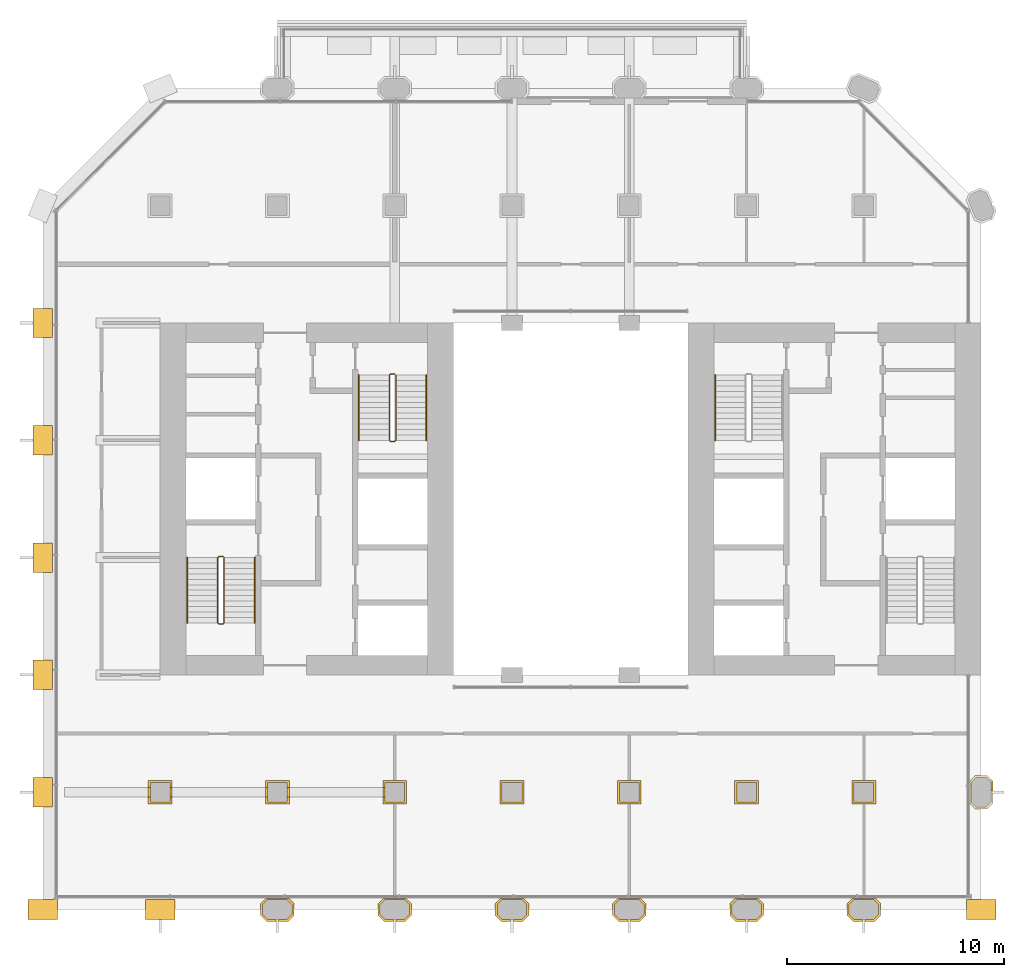
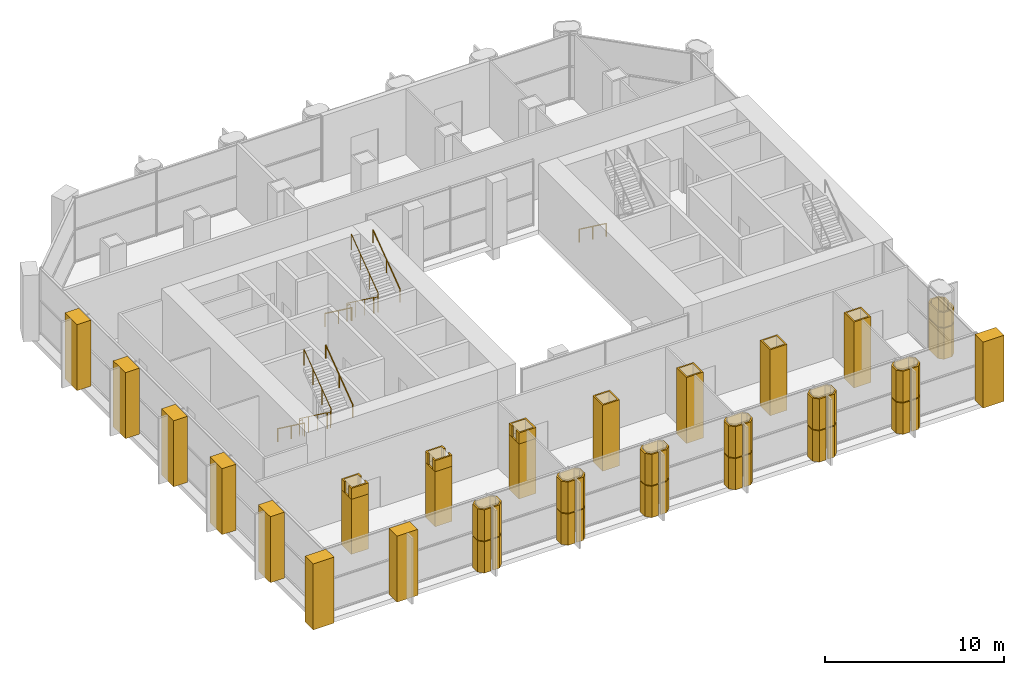
# One storey, part 13 of 15: 34 coverings, 7 railings.
"""IFC4 building model written with IfcOpenShell, lengths in metres."""

from ifc_helpers import new_model, si_unit, direction, frame, frame_2d, origin, origin_2d, place, context, subcontext, project, spatial, polyline, rectangle, circle, outline, extrude, material, layer, layer_set, type_object, element, save


model = new_model("IFC4")

# Units and contexts
model_context = context("Model", 3, precision=1e-05, world=origin(), true_north=direction((0.0, 1.0)))
body_context = subcontext(model_context, "Body", "Model", "MODEL_VIEW")
ifc_project = project(units=[si_unit("LENGTHUNIT", "METRE"), si_unit("AREAUNIT", "SQUARE_METRE"), si_unit("VOLUMEUNIT", "CUBIC_METRE"), si_unit("PLANEANGLEUNIT", "RADIAN"), si_unit("MASSUNIT", "GRAM", prefix="KILO")], contexts=[model_context])

# Site, building, storey
site_placement = place(None, origin())
site = spatial("IfcSite", under=ifc_project, at=site_placement, CompositionType="ELEMENT")
building_placement = place(site_placement, origin())
building = spatial("IfcBuilding", under=site, at=building_placement, Name="Tabaq Tower and Sports Hall", CompositionType="ELEMENT")
storey_placement = place(building_placement, frame((0.0, 0.0, 138.39990234375)))
storey = spatial("IfcBuildingStorey", under=building, at=storey_placement, Name="L32", CompositionType="ELEMENT", Elevation=138.39990234375)

# Coverings
ifc_material_1 = material(Name="Precast concrete C60/75", Category="concrete")
ifc_layer = layer(ifc_material_1, 0.10009765625)
ifc_layer_set = layer_set([ifc_layer], Name="Column cladding 100")
covering_type_1 = type_object("IfcCoveringType", Name="Column cladding 100", PredefinedType="CLADDING", material=ifc_layer_set)
covering_1_placement = place(storey_placement, origin())
element("IfcCovering", 1, at=covering_1_placement, inside=storey, type_object=covering_type_1, Name="Column cladding L32 CC-2C-S1", PredefinedType="CLADDING", context=body_context, shape_type="SweptSolid", body=[
    extrude(outline(polyline([(4.850341796875, 11.349609375), (5.94970703125, 11.349609375), (5.94970703125, 10.250244140625), (4.850341796875, 10.250244140625), (4.850341796875, 11.349609375)]), holes=[polyline([(5.850341796875, 10.349609375), (5.850341796875, 11.250244140625), (4.94970703125, 11.250244140625), (4.94970703125, 10.349609375), (5.850341796875, 10.349609375)])]), origin(), (0.0, 0.0, 1.0), 3.75),
])
covering_2_placement = place(storey_placement, frame((0.0, 0.0, 3.75)))
element("IfcCovering", 2, at=covering_2_placement, inside=storey, type_object=covering_type_1, Name="Column cladding L32 CC-2C-S1 head", PredefinedType="CLADDING", context=body_context, shape_type="SweptSolid", body=[
    extrude(outline(polyline([(5.94970703125, 10.250244140625), (4.850341796875, 10.250244140625), (4.850341796875, 10.57470703125), (4.94970703125, 10.57470703125), (4.94970703125, 10.349609375), (5.850341796875, 10.349609375), (5.850341796875, 10.57470703125), (5.94970703125, 10.57470703125), (5.94970703125, 10.250244140625)])), origin(), (0.0, 0.0, 1.0), 0.75),
])
covering_3_placement = place(storey_placement, frame((0.0, 0.0, 3.75)))
element("IfcCovering", 3, at=covering_3_placement, inside=storey, type_object=covering_type_1, Name="Column cladding L32 CC-2C-S1 head 2", PredefinedType="CLADDING", context=body_context, shape_type="SweptSolid", body=[
    extrude(outline(polyline([(5.94970703125, 11.349609375), (5.94970703125, 11.025390625), (5.850341796875, 11.025390625), (5.850341796875, 11.250244140625), (4.94970703125, 11.250244140625), (4.94970703125, 11.025390625), (4.850341796875, 11.025390625), (4.850341796875, 11.349609375), (5.94970703125, 11.349609375)])), origin(), (0.0, 0.0, 1.0), 0.75),
])
for number, where, name in (
    (4, (0.0, 0.0, 0.10009765625), "Column cladding L32 PC-3B-S1"),
    (5, (0.0, 0.0, 2.280029296875), "Column cladding L32 PC-3B-S1 2"),
):
    element("IfcCovering", number, at=place(storey_placement, frame(where)), inside=storey, type_object=covering_type_1, Name=name, PredefinedType="CLADDING", context=body_context, shape_type="SweptSolid", body=[
        extrude(outline(polyline([(10.025390625, 5.666259765625), (10.268798828125, 5.90966796875), (11.331298828125, 5.90966796875), (11.57470703125, 5.666259765625), (11.57470703125, 5.1337890625), (11.291259765625, 4.850341796875), (10.8603515625, 4.850341796875), (10.8603515625, 4.94970703125), (11.250244140625, 4.94970703125), (11.475341796875, 5.1748046875), (11.475341796875, 5.625244140625), (11.250244140625, 5.850341796875), (10.349853515625, 5.850341796875), (10.124755859375, 5.625244140625), (10.124755859375, 5.1748046875), (10.349853515625, 4.94970703125), (10.73974609375, 4.94970703125), (10.73974609375, 4.850341796875), (10.30859375, 4.850341796875), (10.025390625, 5.1337890625), (10.025390625, 5.666259765625)])), origin(), (0.0, 0.0, 1.0), 2.1201171875),
    ])
covering_4_placement = place(storey_placement, origin())
element("IfcCovering", 6, at=covering_4_placement, inside=storey, type_object=covering_type_1, Name="Column cladding L32 CC-3C-S1", PredefinedType="CLADDING", context=body_context, shape_type="SweptSolid", body=[
    extrude(outline(polyline([(10.250244140625, 11.349609375), (11.349609375, 11.349609375), (11.349609375, 10.250244140625), (10.250244140625, 10.250244140625), (10.250244140625, 11.349609375)]), holes=[polyline([(11.250244140625, 10.349609375), (11.250244140625, 11.250244140625), (10.349609375, 11.250244140625), (10.349609375, 10.349609375), (11.250244140625, 10.349609375)])]), origin(), (0.0, 0.0, 1.0), 3.75),
])
covering_5_placement = place(storey_placement, frame((0.0, 0.0, 3.75)))
element("IfcCovering", 7, at=covering_5_placement, inside=storey, type_object=covering_type_1, Name="Column cladding L32 CC-3C-S1 head", PredefinedType="CLADDING", context=body_context, shape_type="SweptSolid", body=[
    extrude(outline(polyline([(10.349365234375, 10.574462890625), (10.349365234375, 10.349365234375), (11.25048828125, 10.349365234375), (11.25048828125, 10.574462890625), (11.349365234375, 10.574462890625), (11.349365234375, 10.25048828125), (10.25048828125, 10.25048828125), (10.25048828125, 10.574462890625), (10.349365234375, 10.574462890625)])), origin(), (0.0, 0.0, 1.0), 0.75),
])
covering_6_placement = place(storey_placement, frame((0.0, 0.0, 3.75)))
element("IfcCovering", 8, at=covering_6_placement, inside=storey, type_object=covering_type_1, Name="Column cladding L32 CC-3C-S1 head 2", PredefinedType="CLADDING", context=body_context, shape_type="SweptSolid", body=[
    extrude(outline(polyline([(10.349365234375, 11.025634765625), (10.25048828125, 11.025634765625), (10.25048828125, 11.349365234375), (11.349365234375, 11.349365234375), (11.349365234375, 11.025634765625), (11.25048828125, 11.025634765625), (11.25048828125, 11.25048828125), (10.349365234375, 11.25048828125), (10.349365234375, 11.025634765625)])), origin(), (0.0, 0.0, 1.0), 0.75),
])
for number, where, name in (
    (9, (0.0, 0.0, 0.10009765625), "Column cladding L32 PC-4B-S1"),
    (10, (0.0, 0.0, 2.280029296875), "Column cladding L32 PC-4B-S1 2"),
):
    element("IfcCovering", number, at=place(storey_placement, frame(where)), inside=storey, type_object=covering_type_1, Name=name, PredefinedType="CLADDING", context=body_context, shape_type="SweptSolid", body=[
        extrude(outline(polyline([(15.42529296875, 5.666259765625), (15.668701171875, 5.90966796875), (16.731201171875, 5.90966796875), (16.974609375, 5.666259765625), (16.974609375, 5.1337890625), (16.69140625, 4.850341796875), (16.26025390625, 4.850341796875), (16.26025390625, 4.94970703125), (16.650146484375, 4.94970703125), (16.875244140625, 5.1748046875), (16.875244140625, 5.625244140625), (16.650146484375, 5.850341796875), (15.749755859375, 5.850341796875), (15.524658203125, 5.625244140625), (15.524658203125, 5.1748046875), (15.749755859375, 4.94970703125), (16.1396484375, 4.94970703125), (16.1396484375, 4.850341796875), (15.708740234375, 4.850341796875), (15.42529296875, 5.1337890625), (15.42529296875, 5.666259765625)])), origin(), (0.0, 0.0, 1.0), 2.1201171875),
    ])
covering_7_placement = place(storey_placement, origin())
element("IfcCovering", 11, at=covering_7_placement, inside=storey, type_object=covering_type_1, Name="Column cladding L32 CC-4C-S1", PredefinedType="CLADDING", context=body_context, shape_type="SweptSolid", body=[
    extrude(outline(polyline([(15.650390625, 11.349609375), (16.749755859375, 11.349609375), (16.749755859375, 10.250244140625), (15.650390625, 10.250244140625), (15.650390625, 11.349609375)]), holes=[polyline([(16.650390625, 10.349609375), (16.650390625, 11.250244140625), (15.749755859375, 11.250244140625), (15.749755859375, 10.349609375), (16.650390625, 10.349609375)])]), origin(), (0.0, 0.0, 1.0), 3.75),
])
covering_8_placement = place(storey_placement, frame((0.0, 0.0, 3.75)))
element("IfcCovering", 12, at=covering_8_placement, inside=storey, type_object=covering_type_1, Name="Column cladding L32 CC-4C-S1 head", PredefinedType="CLADDING", context=body_context, shape_type="SweptSolid", body=[
    extrude(outline(polyline([(16.749755859375, 11.349609375), (16.749755859375, 10.250244140625), (15.650390625, 10.250244140625), (15.650390625, 10.57470703125), (15.749755859375, 10.57470703125), (15.749755859375, 10.349609375), (16.650390625, 10.349609375), (16.650390625, 11.250244140625), (15.749755859375, 11.250244140625), (15.749755859375, 11.025390625), (15.650390625, 11.025390625), (15.650390625, 11.349609375), (16.749755859375, 11.349609375)])), origin(), (0.0, 0.0, 1.0), 0.75),
])
for number, where, name in (
    (13, (0.0, 0.0, 0.10009765625), "Column cladding L32 PC-5B-S1"),
    (14, (0.0, 0.0, 2.280029296875), "Column cladding L32 PC-5B-S1 2"),
):
    element("IfcCovering", number, at=place(storey_placement, frame(where)), inside=storey, type_object=covering_type_1, Name=name, PredefinedType="CLADDING", context=body_context, shape_type="SweptSolid", body=[
        extrude(outline(polyline([(20.8251953125, 5.666259765625), (21.068603515625, 5.90966796875), (22.13134765625, 5.90966796875), (22.374755859375, 5.666259765625), (22.374755859375, 5.1337890625), (22.09130859375, 4.850341796875), (21.660400390625, 4.850341796875), (21.660400390625, 4.94970703125), (22.050048828125, 4.94970703125), (22.275390625, 5.1748046875), (22.275390625, 5.625244140625), (22.050048828125, 5.850341796875), (21.14990234375, 5.850341796875), (20.9248046875, 5.625244140625), (20.9248046875, 5.1748046875), (21.14990234375, 4.94970703125), (21.539794921875, 4.94970703125), (21.539794921875, 4.850341796875), (21.108642578125, 4.850341796875), (20.8251953125, 5.1337890625), (20.8251953125, 5.666259765625)])), origin(), (0.0, 0.0, 1.0), 2.1201171875),
    ])
covering_9_placement = place(storey_placement, origin())
element("IfcCovering", 15, at=covering_9_placement, inside=storey, type_object=covering_type_1, Name="Column cladding L32 CC-5C-S1", PredefinedType="CLADDING", context=body_context, shape_type="SweptSolid", body=[
    extrude(outline(polyline([(21.05029296875, 11.349609375), (22.149658203125, 11.349609375), (22.149658203125, 10.250244140625), (21.05029296875, 10.250244140625), (21.05029296875, 11.349609375)]), holes=[polyline([(22.05029296875, 10.349609375), (22.05029296875, 11.250244140625), (21.149658203125, 11.250244140625), (21.149658203125, 10.349609375), (22.05029296875, 10.349609375)])]), origin(), (0.0, 0.0, 1.0), 4.5),
])
for number, where, name in (
    (16, (0.0, 0.0, 0.10009765625), "Column cladding L32 PC-6B-S1"),
    (17, (0.0, 0.0, 2.280029296875), "Column cladding L32 PC-6B-S1 2"),
):
    element("IfcCovering", number, at=place(storey_placement, frame(where)), inside=storey, type_object=covering_type_1, Name=name, PredefinedType="CLADDING", context=body_context, shape_type="SweptSolid", body=[
        extrude(outline(polyline([(26.225341796875, 5.666259765625), (26.46875, 5.90966796875), (27.53125, 5.90966796875), (27.774658203125, 5.666259765625), (27.774658203125, 5.1337890625), (27.4912109375, 4.850341796875), (27.060302734375, 4.850341796875), (27.060302734375, 4.94970703125), (27.4501953125, 4.94970703125), (27.67529296875, 5.1748046875), (27.67529296875, 5.625244140625), (27.4501953125, 5.850341796875), (26.5498046875, 5.850341796875), (26.32470703125, 5.625244140625), (26.32470703125, 5.1748046875), (26.5498046875, 4.94970703125), (26.939697265625, 4.94970703125), (26.939697265625, 4.850341796875), (26.5087890625, 4.850341796875), (26.225341796875, 5.1337890625), (26.225341796875, 5.666259765625)])), origin(), (0.0, 0.0, 1.0), 2.1201171875),
    ])
covering_10_placement = place(storey_placement, origin())
element("IfcCovering", 18, at=covering_10_placement, inside=storey, type_object=covering_type_1, Name="Column cladding L32 CC-6C-S1", PredefinedType="CLADDING", context=body_context, shape_type="SweptSolid", body=[
    extrude(outline(polyline([(26.4501953125, 11.349609375), (27.5498046875, 11.349609375), (27.5498046875, 10.250244140625), (26.4501953125, 10.250244140625), (26.4501953125, 11.349609375)]), holes=[polyline([(27.4501953125, 10.349609375), (27.4501953125, 11.250244140625), (26.5498046875, 11.250244140625), (26.5498046875, 10.349609375), (27.4501953125, 10.349609375)])]), origin(), (0.0, 0.0, 1.0), 4.5),
])
for number, where, name in (
    (19, (0.0, 0.0, 0.10009765625), "Column cladding L32 PC-7B-S1"),
    (20, (0.0, 0.0, 2.280029296875), "Column cladding L32 PC-7B-S1 2"),
):
    element("IfcCovering", number, at=place(storey_placement, frame(where)), inside=storey, type_object=covering_type_1, Name=name, PredefinedType="CLADDING", context=body_context, shape_type="SweptSolid", body=[
        extrude(outline(polyline([(31.625244140625, 5.666259765625), (31.86865234375, 5.90966796875), (32.931396484375, 5.90966796875), (33.1748046875, 5.666259765625), (33.1748046875, 5.1337890625), (32.891357421875, 4.850341796875), (32.460205078125, 4.850341796875), (32.460205078125, 4.94970703125), (32.85009765625, 4.94970703125), (33.0751953125, 5.1748046875), (33.0751953125, 5.625244140625), (32.85009765625, 5.850341796875), (31.949951171875, 5.850341796875), (31.724609375, 5.625244140625), (31.724609375, 5.1748046875), (31.949951171875, 4.94970703125), (32.339599609375, 4.94970703125), (32.339599609375, 4.850341796875), (31.90869140625, 4.850341796875), (31.625244140625, 5.1337890625), (31.625244140625, 5.666259765625)])), origin(), (0.0, 0.0, 1.0), 2.1201171875),
    ])
covering_11_placement = place(storey_placement, origin())
element("IfcCovering", 21, at=covering_11_placement, inside=storey, type_object=covering_type_1, Name="Column cladding L32 CC-7C-S1", PredefinedType="CLADDING", context=body_context, shape_type="SweptSolid", body=[
    extrude(outline(polyline([(31.850341796875, 11.349609375), (32.94970703125, 11.349609375), (32.94970703125, 10.250244140625), (31.850341796875, 10.250244140625), (31.850341796875, 11.349609375)]), holes=[polyline([(32.850341796875, 10.349609375), (32.850341796875, 11.250244140625), (31.94970703125, 11.250244140625), (31.94970703125, 10.349609375), (32.850341796875, 10.349609375)])]), origin(), (0.0, 0.0, 1.0), 4.5),
])
for number, where, name in (
    (22, (0.0, 0.0, 0.10009765625), "Column cladding L32 PC-8B-S1"),
    (23, (0.0, 0.0, 2.280029296875), "Column cladding L32 PC-8B-S1 2"),
):
    element("IfcCovering", number, at=place(storey_placement, frame(where)), inside=storey, type_object=covering_type_1, Name=name, PredefinedType="CLADDING", context=body_context, shape_type="SweptSolid", body=[
        extrude(outline(polyline([(37.025390625, 5.666259765625), (37.268798828125, 5.90966796875), (38.331298828125, 5.90966796875), (38.57470703125, 5.666259765625), (38.57470703125, 5.1337890625), (38.291259765625, 4.850341796875), (37.8603515625, 4.850341796875), (37.8603515625, 4.94970703125), (38.250244140625, 4.94970703125), (38.475341796875, 5.1748046875), (38.475341796875, 5.625244140625), (38.250244140625, 5.850341796875), (37.349853515625, 5.850341796875), (37.124755859375, 5.625244140625), (37.124755859375, 5.1748046875), (37.349853515625, 4.94970703125), (37.73974609375, 4.94970703125), (37.73974609375, 4.850341796875), (37.30859375, 4.850341796875), (37.025390625, 5.1337890625), (37.025390625, 5.666259765625)])), origin(), (0.0, 0.0, 1.0), 2.1201171875),
    ])
covering_12_placement = place(storey_placement, origin())
element("IfcCovering", 24, at=covering_12_placement, inside=storey, type_object=covering_type_1, Name="Column cladding L32 CC-8C-S1", PredefinedType="CLADDING", context=body_context, shape_type="SweptSolid", body=[
    extrude(outline(polyline([(37.250244140625, 11.349609375), (38.349609375, 11.349609375), (38.349609375, 10.250244140625), (37.250244140625, 10.250244140625), (37.250244140625, 11.349609375)]), holes=[polyline([(38.250244140625, 10.349609375), (38.250244140625, 11.250244140625), (37.349609375, 11.250244140625), (37.349609375, 10.349609375), (38.250244140625, 10.349609375)])]), origin(), (0.0, 0.0, 1.0), 4.5),
])
covering_13_placement = place(storey_placement, frame((0.0, 0.0, 0.10009765625)))
element("IfcCovering", 25, at=covering_13_placement, inside=storey, type_object=covering_type_1, Name="Column cladding L32 PC-9C-S1", PredefinedType="CLADDING", context=body_context, shape_type="SweptSolid", body=[
    extrude(outline(polyline([(42.93359375, 10.025390625), (42.690185546875, 10.268798828125), (42.690185546875, 11.331298828125), (42.93359375, 11.57470703125), (43.46630859375, 11.57470703125), (43.749755859375, 11.291259765625), (43.749755859375, 10.8603515625), (43.650390625, 10.8603515625), (43.650390625, 11.250244140625), (43.425048828125, 11.475341796875), (42.974853515625, 11.475341796875), (42.749755859375, 11.250244140625), (42.749755859375, 10.349853515625), (42.974853515625, 10.124755859375), (43.425048828125, 10.124755859375), (43.650390625, 10.349853515625), (43.650390625, 10.73974609375), (43.749755859375, 10.73974609375), (43.749755859375, 10.30859375), (43.46630859375, 10.025390625), (42.93359375, 10.025390625)])), origin(), (0.0, 0.0, 1.0), 2.1201171875),
])
covering_14_placement = place(storey_placement, frame((0.0, 0.0, 2.280029296875)))
element("IfcCovering", 26, at=covering_14_placement, inside=storey, type_object=covering_type_1, Name="Column cladding L32 PC-9C-S1 2", PredefinedType="CLADDING", context=body_context, shape_type="SweptSolid", body=[
    extrude(outline(polyline([(42.93359375, 10.025390625), (42.690185546875, 10.268798828125), (42.690185546875, 11.331298828125), (42.93359375, 11.57470703125), (43.46630859375, 11.57470703125), (43.749755859375, 11.291259765625), (43.749755859375, 10.8603515625), (43.650390625, 10.8603515625), (43.650390625, 11.250244140625), (43.425048828125, 11.475341796875), (42.974853515625, 11.475341796875), (42.749755859375, 11.250244140625), (42.749755859375, 10.349853515625), (42.974853515625, 10.124755859375), (43.425048828125, 10.124755859375), (43.650390625, 10.349853515625), (43.650390625, 10.73974609375), (43.749755859375, 10.73974609375), (43.749755859375, 10.30859375), (43.46630859375, 10.025390625), (42.93359375, 10.025390625)])), origin(), (0.0, 0.0, 1.0), 1.02001953125),
])
ifc_material_2 = material(Name="White precast concrete C60/75", Category="concrete")
covering_type_2 = type_object("IfcCoveringType", Name="Pier cladding hung 1350x900", PredefinedType="CLADDING", material=ifc_material_2)
for number, where, z_axis, x_axis, name in (
    (27, (-0.675048828125, 5.39990234375, 0.0), (0.0, 0.0, 1.0), (1.0, 0.0, 0.0), "Hung pier cladding 0/1"),
    (28, (0.0, 11.47509765625, 0.0), (0.0, 0.0, 1.0), (0.0, -1.0, 0.0), "Hung pier cladding 0/2"),
    (29, (0.0, 16.875, 0.0), (0.0, 0.0, 1.0), (0.0, -1.0, 0.0), "Hung pier cladding 0/3"),
):
    element("IfcCovering", number, at=place(storey_placement, frame(where, z_axis=z_axis, x_axis=x_axis)), inside=storey, type_object=covering_type_2, Name=name, PredefinedType="CLADDING", context=body_context, shape_type="SweptSolid", body=[
        extrude(rectangle(XDim=1.35009765625, YDim=0.89990234375, at=frame_2d((0.675048828125, 0.0))), origin(), (0.0, 0.0, 1.0), 4.5),
    ])
covering_15_placement = place(storey_placement, frame((0.0, 22.27490234375, 0.0), z_axis=(0.0, 0.0, 1.0), x_axis=(0.0, -1.0, 0.0)))
element("IfcCovering", 30, at=covering_15_placement, inside=storey, type_object=covering_type_2, Name="Hung pier cladding 0/4", PredefinedType="CLADDING", context=body_context, shape_type="SweptSolid", body=[
    extrude(rectangle(XDim=1.349853515625, YDim=0.89990234375, at=frame_2d((0.6748046875, 0.0))), origin(), (0.0, 0.0, 1.0), 4.5),
])
covering_16_placement = place(storey_placement, frame((0.0, 27.675048828125, 0.0), z_axis=(0.0, 0.0, 1.0), x_axis=(0.0, -1.0, 0.0)))
element("IfcCovering", 31, at=covering_16_placement, inside=storey, type_object=covering_type_2, Name="Hung pier cladding 0/5", PredefinedType="CLADDING", context=body_context, shape_type="SweptSolid", body=[
    extrude(rectangle(XDim=1.35009765625, YDim=0.89990234375, at=frame_2d((0.675048828125, 0.0))), origin(), (0.0, 0.0, 1.0), 4.5),
])
for number, where, z_axis, x_axis, name in (
    (32, (0.0, 33.074951171875, 0.0), (0.0, 0.0, 1.0), (0.0, -1.0, 0.0), "Hung pier cladding 0/6"),
    (33, (4.72509765625, 5.39990234375, 0.0), (0.0, 0.0, 1.0), (1.0, 0.0, 0.0), "Hung pier cladding 1/1"),
):
    element("IfcCovering", number, at=place(storey_placement, frame(where, z_axis=z_axis, x_axis=x_axis)), inside=storey, type_object=covering_type_2, Name=name, PredefinedType="CLADDING", context=body_context, shape_type="SweptSolid", body=[
        extrude(rectangle(XDim=1.349853515625, YDim=0.89990234375, at=frame_2d((0.6748046875, 0.0))), origin(), (0.0, 0.0, 1.0), 4.5),
    ])
covering_17_placement = place(storey_placement, frame((42.52490234375, 5.39990234375, 0.0), z_axis=(0.0, 0.0, 1.0), x_axis=(1.0, 0.0, 0.0)))
element("IfcCovering", 34, at=covering_17_placement, inside=storey, type_object=covering_type_2, Name="Hung pier cladding 8/1", PredefinedType="CLADDING", context=body_context, shape_type="SweptSolid", body=[
    extrude(rectangle(XDim=1.35009765625, YDim=0.89990234375, at=frame_2d((0.675048828125, 0.0))), origin(), (0.0, 0.0, 1.0), 4.5),
])

# Railings
ifc_material_3 = material(Name="Stainless steel", Category="steel")
railing_type_1 = type_object("IfcRailingType", Name="Stair guard", PredefinedType="GUARDRAIL", material=ifc_material_3)
railing_1_placement = place(storey_placement, frame((8.300048828125, 21.64990234375, 0.0)))
element("IfcRailing", 35, at=railing_1_placement, inside=storey, type_object=railing_type_1, Name="L32 ST1 stair guard 1", PredefinedType="GUARDRAIL", context=body_context, shape_type="SweptSolid", body=[
    extrude(circle(Radius=0.02392578125, at=origin_2d()), frame((0.0, 0.0, 1.076171875), z_axis=(-1.0, 0.0, 0.0), x_axis=(0.0, -1.0, 0.0)), (0.0, 0.0, 1.0), 0.199951171875),
    extrude(circle(Radius=0.02392578125, at=origin_2d()), frame((-0.199951171875, 0.0, 1.076171875), z_axis=(-0.252972702061, -0.251738688881, 0.934147977856), x_axis=(0.705375805398, -0.708833529934, 0.0)), (0.0, 0.0, 1.0), 0.19775390625),
    extrude(circle(Radius=0.02392578125, at=origin_2d()), frame((-0.25, -0.0498046875, 1.2607421875), z_axis=(0.0, -0.804440004972, 0.594033903411), x_axis=(1.0, 0.0, 0.0)), (0.0, 0.0, 1.0), 3.729248046875),
    extrude(circle(Radius=0.02392578125, at=origin_2d()), frame((-0.25, -3.0498046875, 3.47607421875), z_axis=(0.707106781187, -0.707106781187, 0.0), x_axis=(0.707106781187, 0.707106781187, 0.0)), (0.0, 0.0, 1.0), 0.07080078125),
    extrude(circle(Radius=0.02392578125, at=origin_2d()), frame((-0.199951171875, -3.099853515625, 3.47607421875), z_axis=(1.0, 0.0, 0.0), x_axis=(0.0, 1.0, 0.0)), (0.0, 0.0, 1.0), 0.199951171875),
    extrude(circle(Radius=0.02392578125, at=origin_2d()), frame((0.0, -3.099853515625, 3.47607421875), z_axis=(0.253185614162, 0.253185614162, 0.933699142959), x_axis=(-0.707106781187, 0.707106781187, 0.0)), (0.0, 0.0, 1.0), 0.19775390625),
    extrude(circle(Radius=0.02392578125, at=origin_2d()), frame((0.050048828125, -3.0498046875, 3.66064453125), z_axis=(0.0, 0.804440004972, 0.594033903411), x_axis=(-1.0, 0.0, 0.0)), (0.0, 0.0, 1.0), 3.729248046875),
    extrude(circle(Radius=0.02099609375, at=origin_2d()), origin(), (0.0, 0.0, 1.0), 1.052001953125),
    extrude(circle(Radius=0.02099609375, at=origin_2d()), frame((-0.199951171875, 0.0, 0.0)), (0.0, 0.0, 1.0), 1.052001953125),
    extrude(circle(Radius=0.02099609375, at=origin_2d()), frame((-0.25, -0.0498046875, 0.184814453125)), (0.0, 0.0, 1.0), 1.052001953125),
    extrude(circle(Radius=0.02099609375, at=origin_2d()), frame((-0.25, -1.0498046875, 0.92333984375)), (0.0, 0.0, 1.0), 1.052001953125),
    extrude(circle(Radius=0.02099609375, at=origin_2d()), frame((-0.25, -2.0498046875, 1.66162109375)), (0.0, 0.0, 1.0), 1.052001953125),
    extrude(circle(Radius=0.02099609375, at=origin_2d()), frame((-0.25, -3.0498046875, 2.400146484375)), (0.0, 0.0, 1.0), 1.052001953125),
    extrude(circle(Radius=0.02099609375, at=origin_2d()), frame((-0.199951171875, -3.099853515625, 2.400146484375)), (0.0, 0.0, 1.0), 1.052001953125),
    extrude(circle(Radius=0.02099609375, at=origin_2d()), frame((0.0, -3.099853515625, 2.400146484375)), (0.0, 0.0, 1.0), 1.052001953125),
    extrude(circle(Radius=0.02099609375, at=origin_2d()), frame((0.050048828125, -3.0498046875, 2.584716796875)), (0.0, 0.0, 1.0), 1.052001953125),
    extrude(circle(Radius=0.02099609375, at=origin_2d()), frame((0.050048828125, -2.0498046875, 3.3232421875)), (0.0, 0.0, 1.0), 1.052001953125),
    extrude(circle(Radius=0.02099609375, at=origin_2d()), frame((0.050048828125, -1.0498046875, 4.0615234375)), (0.0, 0.0, 1.0), 1.052001953125),
    extrude(circle(Radius=0.02099609375, at=origin_2d()), frame((0.050048828125, -0.0498046875, 4.800048828125)), (0.0, 0.0, 1.0), 1.052001953125),
])
railing_2_placement = place(storey_placement, frame((16.199951171875, 30.050048828125, 0.0)))
element("IfcRailing", 36, at=railing_2_placement, inside=storey, type_object=railing_type_1, Name="L32 ST2 stair guard 1", PredefinedType="GUARDRAIL", context=body_context, shape_type="SweptSolid", body=[
    extrude(circle(Radius=0.02392578125, at=origin_2d()), frame((0.0, 0.0, 1.076171875), z_axis=(-1.0, 0.0, 0.0), x_axis=(0.0, -1.0, 0.0)), (0.0, 0.0, 1.0), 0.199951171875),
    extrude(circle(Radius=0.02392578125, at=origin_2d()), frame((-0.199951171875, 0.0, 1.076171875), z_axis=(-0.252893960547, -0.252893960547, 0.933857210411), x_axis=(0.707106781187, -0.707106781187, 0.0)), (0.0, 0.0, 1.0), 0.197998046875),
    extrude(circle(Radius=0.02392578125, at=origin_2d()), frame((-0.25, -0.050048828125, 1.2607421875), z_axis=(0.0, -0.804440004972, 0.594033903411), x_axis=(1.0, 0.0, 0.0)), (0.0, 0.0, 1.0), 3.729248046875),
    extrude(circle(Radius=0.02392578125, at=origin_2d()), frame((-0.25, -3.050048828125, 3.47607421875), z_axis=(0.707106781187, -0.707106781187, 0.0), x_axis=(0.707106781187, 0.707106781187, 0.0)), (0.0, 0.0, 1.0), 0.07080078125),
    extrude(circle(Radius=0.02392578125, at=origin_2d()), frame((-0.199951171875, -3.10009765625, 3.47607421875), z_axis=(1.0, 0.0, 0.0), x_axis=(0.0, 1.0, 0.0)), (0.0, 0.0, 1.0), 0.199951171875),
    extrude(circle(Radius=0.02392578125, at=origin_2d()), frame((0.0, -3.10009765625, 3.47607421875), z_axis=(0.253185614162, 0.253185614162, 0.933699142959), x_axis=(-0.707106781187, 0.707106781187, 0.0)), (0.0, 0.0, 1.0), 0.19775390625),
    extrude(circle(Radius=0.02392578125, at=origin_2d()), frame((0.050048828125, -3.050048828125, 3.66064453125), z_axis=(0.0, 0.804440004972, 0.594033903411), x_axis=(-1.0, 0.0, 0.0)), (0.0, 0.0, 1.0), 3.729248046875),
    extrude(circle(Radius=0.02099609375, at=origin_2d()), origin(), (0.0, 0.0, 1.0), 1.052001953125),
    extrude(circle(Radius=0.02099609375, at=origin_2d()), frame((-0.199951171875, 0.0, 0.0)), (0.0, 0.0, 1.0), 1.052001953125),
    extrude(circle(Radius=0.02099609375, at=origin_2d()), frame((-0.25, -0.050048828125, 0.184814453125)), (0.0, 0.0, 1.0), 1.052001953125),
    extrude(circle(Radius=0.02099609375, at=origin_2d()), frame((-0.25, -1.050048828125, 0.92333984375)), (0.0, 0.0, 1.0), 1.052001953125),
    extrude(circle(Radius=0.02099609375, at=origin_2d()), frame((-0.25, -2.050048828125, 1.66162109375)), (0.0, 0.0, 1.0), 1.052001953125),
    extrude(circle(Radius=0.02099609375, at=origin_2d()), frame((-0.25, -3.050048828125, 2.400146484375)), (0.0, 0.0, 1.0), 1.052001953125),
    extrude(circle(Radius=0.02099609375, at=origin_2d()), frame((-0.199951171875, -3.10009765625, 2.400146484375)), (0.0, 0.0, 1.0), 1.052001953125),
    extrude(circle(Radius=0.02099609375, at=origin_2d()), frame((0.0, -3.10009765625, 2.400146484375)), (0.0, 0.0, 1.0), 1.052001953125),
    extrude(circle(Radius=0.02099609375, at=origin_2d()), frame((0.050048828125, -3.050048828125, 2.584716796875)), (0.0, 0.0, 1.0), 1.052001953125),
    extrude(circle(Radius=0.02099609375, at=origin_2d()), frame((0.050048828125, -2.050048828125, 3.3232421875)), (0.0, 0.0, 1.0), 1.052001953125),
    extrude(circle(Radius=0.02099609375, at=origin_2d()), frame((0.050048828125, -1.050048828125, 4.0615234375)), (0.0, 0.0, 1.0), 1.052001953125),
    extrude(circle(Radius=0.02099609375, at=origin_2d()), frame((0.050048828125, -0.050048828125, 4.800048828125)), (0.0, 0.0, 1.0), 1.052001953125),
])
ifc_material_4 = material(Name="Stainless steel", Category="steel")
railing_type_2 = type_object("IfcRailingType", Name="Stair handrail", PredefinedType="HANDRAIL", material=ifc_material_4)
railing_3_placement = place(storey_placement, frame((6.64990234375, 21.60009765625, 0.184814453125)))
element("IfcRailing", 37, at=railing_3_placement, inside=storey, type_object=railing_type_2, Name="L32 ST1 stair handrail 1", PredefinedType="HANDRAIL", context=body_context, shape_type="SweptSolid", body=[
    extrude(circle(Radius=0.02392578125, at=origin_2d()), frame((0.0, 0.0, 0.8759765625), z_axis=(0.0, -0.804440004972, 0.594033903411), x_axis=(1.0, 0.0, 0.0)), (0.0, 0.0, 1.0), 3.729248046875),
    extrude(circle(Radius=0.02099609375, at=origin_2d()), origin(), (0.0, 0.0, 1.0), 0.851806640625),
    extrude(circle(Radius=0.02099609375, at=origin_2d()), frame((0.0, -1.5, 1.107666015625)), (0.0, 0.0, 1.0), 0.851806640625),
    extrude(circle(Radius=0.02099609375, at=origin_2d()), frame((0.0, -3.0, 2.21533203125)), (0.0, 0.0, 1.0), 0.851806640625),
])
railing_4_placement = place(storey_placement, frame((9.75, 18.60009765625, 2.584716796875)))
element("IfcRailing", 38, at=railing_4_placement, inside=storey, type_object=railing_type_2, Name="L32 ST1 stair handrail 2", PredefinedType="HANDRAIL", context=body_context, shape_type="SweptSolid", body=[
    extrude(circle(Radius=0.02392578125, at=origin_2d()), frame((0.0, 0.0, 0.8759765625), z_axis=(0.0, 0.804440004972, 0.594033903411), x_axis=(-1.0, 0.0, 0.0)), (0.0, 0.0, 1.0), 3.729248046875),
    extrude(circle(Radius=0.02099609375, at=origin_2d()), origin(), (0.0, 0.0, 1.0), 0.851806640625),
    extrude(circle(Radius=0.02099609375, at=origin_2d()), frame((0.0, 1.5, 1.107666015625)), (0.0, 0.0, 1.0), 0.851806640625),
    extrude(circle(Radius=0.02099609375, at=origin_2d()), frame((0.0, 3.0, 2.21533203125)), (0.0, 0.0, 1.0), 0.851806640625),
])
railing_5_placement = place(storey_placement, frame((14.550048828125, 30.0, 0.184814453125)))
element("IfcRailing", 39, at=railing_5_placement, inside=storey, type_object=railing_type_2, Name="L32 ST2 stair handrail 1", PredefinedType="HANDRAIL", context=body_context, shape_type="SweptSolid", body=[
    extrude(circle(Radius=0.02392578125, at=origin_2d()), frame((0.0, 0.0, 0.8759765625), z_axis=(0.0, -0.804440004972, 0.594033903411), x_axis=(1.0, 0.0, 0.0)), (0.0, 0.0, 1.0), 3.729248046875),
    extrude(circle(Radius=0.02099609375, at=origin_2d()), origin(), (0.0, 0.0, 1.0), 0.851806640625),
    extrude(circle(Radius=0.02099609375, at=origin_2d()), frame((0.0, -1.5, 1.107666015625)), (0.0, 0.0, 1.0), 0.851806640625),
    extrude(circle(Radius=0.02099609375, at=origin_2d()), frame((0.0, -3.0, 2.21533203125)), (0.0, 0.0, 1.0), 0.851806640625),
])
railing_6_placement = place(storey_placement, frame((17.64990234375, 27.0, 2.584716796875)))
element("IfcRailing", 40, at=railing_6_placement, inside=storey, type_object=railing_type_2, Name="L32 ST2 stair handrail 2", PredefinedType="HANDRAIL", context=body_context, shape_type="SweptSolid", body=[
    extrude(circle(Radius=0.02392578125, at=origin_2d()), frame((0.0, 0.0, 0.8759765625), z_axis=(0.0, 0.804440004972, 0.594033903411), x_axis=(-1.0, 0.0, 0.0)), (0.0, 0.0, 1.0), 3.729248046875),
    extrude(circle(Radius=0.02099609375, at=origin_2d()), origin(), (0.0, 0.0, 1.0), 0.851806640625),
    extrude(circle(Radius=0.02099609375, at=origin_2d()), frame((0.0, 1.5, 1.107666015625)), (0.0, 0.0, 1.0), 0.851806640625),
    extrude(circle(Radius=0.02099609375, at=origin_2d()), frame((0.0, 3.0, 2.21533203125)), (0.0, 0.0, 1.0), 0.851806640625),
])
railing_7_placement = place(storey_placement, frame((30.949951171875, 30.0, 0.184814453125)))
element("IfcRailing", 41, at=railing_7_placement, inside=storey, type_object=railing_type_2, Name="L32 ST4 stair handrail 1", PredefinedType="HANDRAIL", context=body_context, shape_type="SweptSolid", body=[
    extrude(circle(Radius=0.02392578125, at=origin_2d()), frame((0.0, 0.0, 0.8759765625), z_axis=(0.0, -0.804440004972, 0.594033903411), x_axis=(1.0, 0.0, 0.0)), (0.0, 0.0, 1.0), 3.729248046875),
    extrude(circle(Radius=0.02099609375, at=origin_2d()), origin(), (0.0, 0.0, 1.0), 0.851806640625),
    extrude(circle(Radius=0.02099609375, at=origin_2d()), frame((0.0, -1.5, 1.107666015625)), (0.0, 0.0, 1.0), 0.851806640625),
    extrude(circle(Radius=0.02099609375, at=origin_2d()), frame((0.0, -3.0, 2.21533203125)), (0.0, 0.0, 1.0), 0.851806640625),
])

save(model, "model.ifc")
